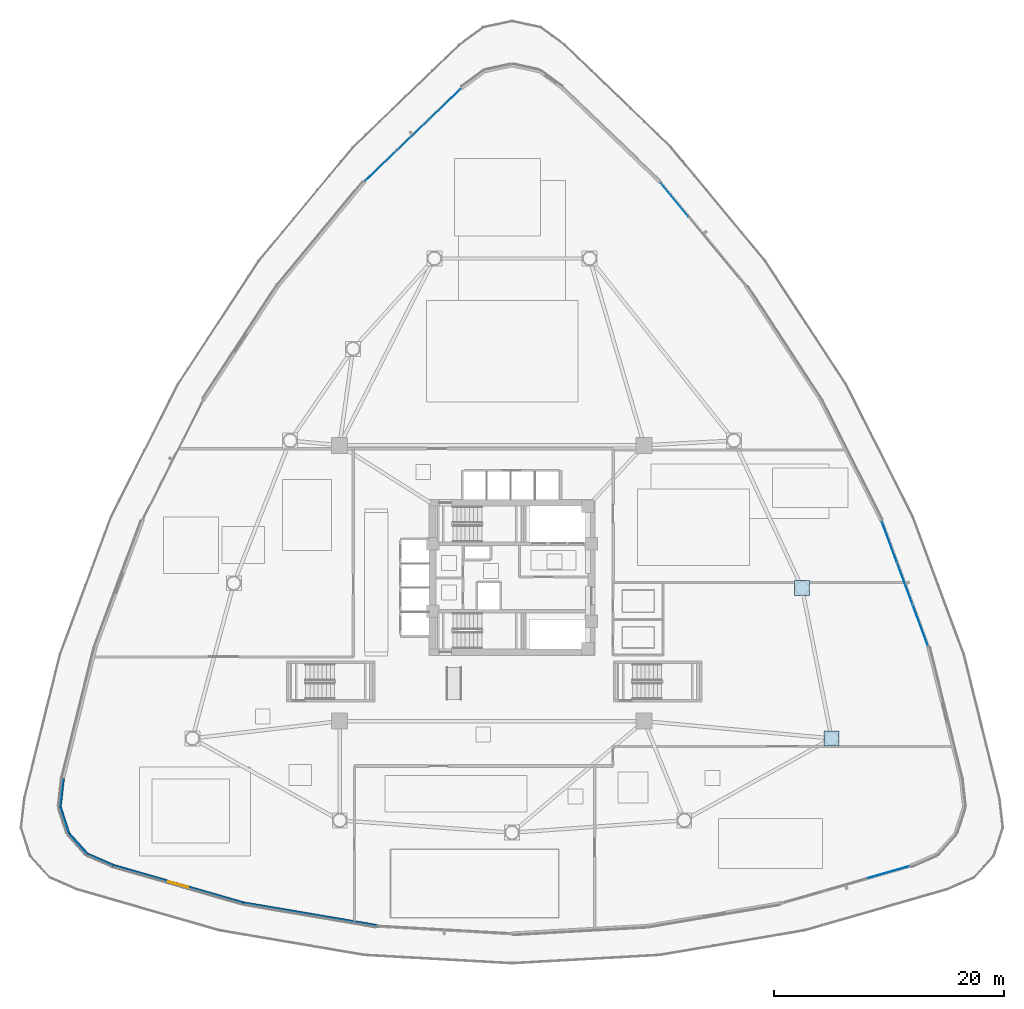
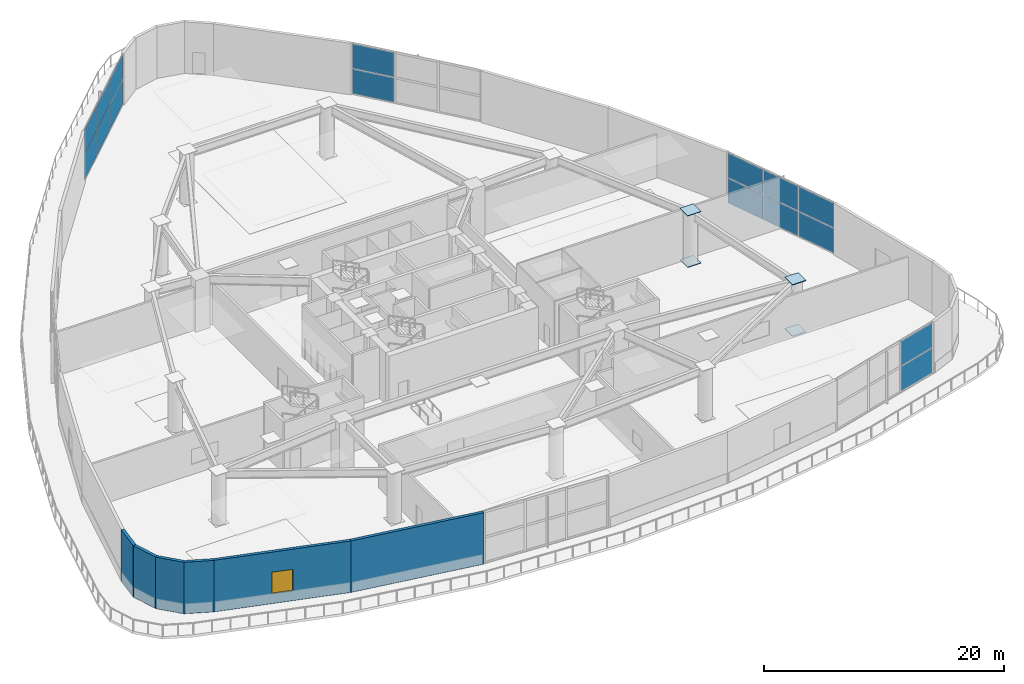
# One storey, part 12 of 26: 20 plates, 6 walls, 1 window, 1 opening, 4 elements without a shape of their own.
"""IFC4 building model written with IfcOpenShell, lengths in metres."""

from ifc_helpers import new_model, si_unit, direction, frame, frame_2d, origin, origin_2d, place, context, subcontext, project, spatial, rectangle, extrude, source, transform, mapped, material, layer, layer_set, type_object, type_shapes, element, fill, aggregate, save


model = new_model("IFC4")

# Units and contexts
model_context = context("Model", 3, precision=1e-05, world=origin(), true_north=direction((0.0, 1.0)))
body_context = subcontext(model_context, "Body", "Model", "MODEL_VIEW")
ifc_project = project(units=[si_unit("LENGTHUNIT", "METRE"), si_unit("AREAUNIT", "SQUARE_METRE"), si_unit("VOLUMEUNIT", "CUBIC_METRE"), si_unit("PLANEANGLEUNIT", "RADIAN"), si_unit("MASSUNIT", "GRAM", prefix="KILO")], contexts=[model_context])

# Site, building, storey
site_placement = place(None, origin())
site = spatial("IfcSite", under=ifc_project, at=site_placement, CompositionType="ELEMENT")
building_placement = place(site_placement, origin())
building = spatial("IfcBuilding", under=site, at=building_placement, Name="Tavelor Broadcast Tower", CompositionType="ELEMENT")
storey_placement = place(building_placement, frame((0.0, 0.0, 5.800048828125)))
storey = spatial("IfcBuildingStorey", under=building, at=storey_placement, Name="L01", CompositionType="ELEMENT", Elevation=5.800048828125)

# Plates
ifc_material_1 = material(Name="Steel S460", Category="steel")
ifc_layer_1 = layer(ifc_material_1, 0.050048828125)
ifc_layer_set_1 = layer_set([ifc_layer_1], Name="Steel S460")
plate_type_1 = type_object("IfcPlateType", Name="Tube Hollow-End Cap Plate KN05 700x700x50", PredefinedType="USERDEFINED", material=ifc_layer_set_1)
shared_shape_1 = source(origin(), body_context, "Body", "SweptSolid", [
    extrude(rectangle(XDim=1.299072265625, YDim=1.299072265625, at=origin_2d()), origin(), (0.0, 0.0, 1.0), 0.054931640625),
])
type_shapes(plate_type_1, [shared_shape_1])
for number, where, z_axis, x_axis, name in (
    (1, (77.800048828125, 31.0, -0.02734375), (0.0, 0.0, 1.0), (1.0, 0.0, 0.0), "L01 Hollow End Cap Plate KN05 #109"),
    (2, (77.800048828125, 31.0, 5.22265625), (0.0, 0.0, 1.0), (1.0, 0.0, 0.0), "L01 Hollow End Cap Plate KN05 #110"),
    (3, (75.2412109375, 44.070068359375, -0.02734375), (0.0, 0.0, 1.0), (1.0, 0.0, 0.0), "L01 Hollow End Cap Plate KN05 #111"),
    (4, (75.2412109375, 44.070068359375, 5.22265625), (0.0, 0.0, 1.0), (1.0, 0.0, 0.0), "L01 Hollow End Cap Plate KN05 #112"),
):
    element("IfcPlate", number, at=place(storey_placement, frame(where, z_axis=z_axis, x_axis=x_axis)), inside=storey, type_object=plate_type_1, Name=name, ObjectType="CAP PLATE", PredefinedType="USERDEFINED", context=body_context, shape_type="MappedRepresentation", body=[
        mapped(shared_shape_1, transform((0.0, 0.0, 0.0), scale=1.0)),
    ])

# Curtain wall, plates
ifc_material_2 = material(Name="Architectural Anodized Aluminium", Category="aluminium")
ifc_layer_2 = layer(ifc_material_2, 0.219970703125)
ifc_layer_set_2 = layer_set([ifc_layer_2], Name="Architectural Anodized Aluminium")
curtain_wall_type = type_object("IfcCurtainWallType", Name="Podium Double-Height Broadcast Curtain Wall CW01", PredefinedType="NOTDEFINED", material=ifc_layer_set_2)
curtain_wall_1_placement = place(storey_placement, origin())
curtain_wall_1 = element("IfcCurtainWall", 5, at=curtain_wall_1_placement, inside=storey, type_object=curtain_wall_type, Name="L01 Curtain Wall CW01 Run 1", PredefinedType="NOTDEFINED")
ifc_material_3 = material(Name="Solar Low-E Laminated Glazing 32 mm", Category="glass")
ifc_layer_3 = layer(ifc_material_3, 0.031982421875)
ifc_layer_set_3 = layer_set([ifc_layer_3], Name="Solar Low-E Laminated Glazing 32 mm")
plate_type_2 = type_object("IfcPlateType", Name="CW01 Insulated Vision Glazing Panel 32 mm", PredefinedType="CURTAIN_PANEL", material=ifc_layer_set_3)
shared_shape_2 = source(origin(), body_context, "Body", "SweptSolid", [
    extrude(rectangle(XDim=3.759765625, YDim=0.031982421875, at=origin_2d()), origin(), (0.0, 0.0, 1.0), 2.512451171875),
])
plate_1_placement = place(storey_placement, frame((44.16162109375, 86.166015625, 0.0751953125), z_axis=(0.0, 0.0, 1.0), x_axis=(-0.720306832221, -0.693655582732, 0.0)))
plate_1 = element("IfcPlate", 6, at=plate_1_placement, type_object=plate_type_2, Name="CW01 panel 1.1", PredefinedType="CURTAIN_PANEL", context=body_context, shape_type="MappedRepresentation", body=[
    mapped(shared_shape_2, transform((0.0, 0.0, 0.0), scale=1.0)),
])
plate_2_placement = place(storey_placement, frame((44.16162109375, 86.166015625, 2.66259765625), z_axis=(0.0, 0.0, 1.0), x_axis=(-0.720306832221, -0.693655582732, 0.0)))
plate_2 = element("IfcPlate", 7, at=plate_2_placement, type_object=plate_type_2, Name="CW01 panel 1.2", PredefinedType="CURTAIN_PANEL", context=body_context, shape_type="MappedRepresentation", body=[
    mapped(shared_shape_2, transform((0.0, 0.0, 0.0), scale=1.0)),
])
plate_3_placement = place(storey_placement, frame((38.610107421875, 80.820068359375, 0.0751953125), z_axis=(0.0, 0.0, 1.0), x_axis=(-0.720306832221, -0.693655582732, 0.0)))
plate_3 = element("IfcPlate", 8, at=plate_3_placement, type_object=plate_type_2, Name="CW01 panel 3.1", PredefinedType="CURTAIN_PANEL", context=body_context, shape_type="MappedRepresentation", body=[
    mapped(shared_shape_2, transform((0.0, 0.0, 0.0), scale=1.0)),
])
plate_4_placement = place(storey_placement, frame((38.610107421875, 80.820068359375, 2.66259765625), z_axis=(0.0, 0.0, 1.0), x_axis=(-0.720306832221, -0.693655582732, 0.0)))
plate_4 = element("IfcPlate", 9, at=plate_4_placement, type_object=plate_type_2, Name="CW01 panel 3.2", PredefinedType="CURTAIN_PANEL", context=body_context, shape_type="MappedRepresentation", body=[
    mapped(shared_shape_2, transform((0.0, 0.0, 0.0), scale=1.0)),
])

curtain_wall_2_placement = place(storey_placement, origin())
curtain_wall_2 = element("IfcCurtainWall", 10, at=curtain_wall_2_placement, inside=storey, type_object=curtain_wall_type, Name="L01 Curtain Wall CW01 Run 4", PredefinedType="NOTDEFINED")
plate_5_placement = place(storey_placement, frame((82.731689453125, 19.36083984375, 0.0751953125), z_axis=(0.0, 0.0, 1.0), x_axis=(0.960875506247, 0.276980615737, 0.0)))
plate_5 = element("IfcPlate", 11, at=plate_5_placement, type_object=plate_type_2, Name="CW01 panel 3.1", PredefinedType="CURTAIN_PANEL", context=body_context, shape_type="MappedRepresentation", body=[
    mapped(shared_shape_2, transform((0.0, 0.0, 0.0), scale=1.0)),
])
plate_6_placement = place(storey_placement, frame((82.731689453125, 19.36083984375, 2.66259765625), z_axis=(0.0, 0.0, 1.0), x_axis=(0.960875506247, 0.276980615737, 0.0)))
plate_6 = element("IfcPlate", 12, at=plate_6_placement, type_object=plate_type_2, Name="CW01 panel 3.2", PredefinedType="CURTAIN_PANEL", context=body_context, shape_type="MappedRepresentation", body=[
    mapped(shared_shape_2, transform((0.0, 0.0, 0.0), scale=1.0)),
])
aggregate(curtain_wall_2, [plate_5, plate_6])

# Plate
shared_shape_3 = source(origin(), body_context, "Body", "SweptSolid", [
    extrude(rectangle(XDim=3.797119140625, YDim=0.031982421875, at=origin_2d()), origin(), (0.0, 0.0, 1.0), 2.512451171875),
])
plate_7_placement = place(storey_placement, frame((41.385986328125, 83.4931640625, 0.0751953125), z_axis=(0.0, 0.0, 1.0), x_axis=(-0.720306832221, -0.693655582732, 0.0)))
plate_7 = element("IfcPlate", 13, at=plate_7_placement, type_object=plate_type_2, Name="CW01 panel 2.1", PredefinedType="CURTAIN_PANEL", context=body_context, shape_type="MappedRepresentation", body=[
    mapped(shared_shape_3, transform((0.0, 0.0, 0.0), scale=1.0)),
])

plate_8_placement = place(storey_placement, frame((41.385986328125, 83.4931640625, 2.66259765625), z_axis=(0.0, 0.0, 1.0), x_axis=(-0.720306832221, -0.693655582732, 0.0)))
plate_8 = element("IfcPlate", 14, at=plate_8_placement, type_object=plate_type_2, Name="CW01 panel 2.2", PredefinedType="CURTAIN_PANEL", context=body_context, shape_type="MappedRepresentation", body=[
    mapped(shared_shape_3, transform((0.0, 0.0, 0.0), scale=1.0)),
])

aggregate(curtain_wall_1, [plate_1, plate_2, plate_7, plate_8, plate_3, plate_4])

# Curtain wall, plates
curtain_wall_3_placement = place(storey_placement, origin())
curtain_wall_3 = element("IfcCurtainWall", 15, at=curtain_wall_3_placement, inside=storey, type_object=curtain_wall_type, Name="L01 Curtain Wall CW01 Run 5", PredefinedType="NOTDEFINED")
shared_shape_4 = source(origin(), body_context, "Body", "SweptSolid", [
    extrude(rectangle(XDim=3.76025390625, YDim=0.031982421875, at=origin_2d()), origin(), (0.0, 0.0, 1.0), 2.512451171875),
])
plate_9_placement = place(storey_placement, frame((85.518798828125, 40.8369140625, 0.0751953125), z_axis=(0.0, 0.0, 1.0), x_axis=(-0.347785833144, 0.937574004687, 0.0)))
plate_9 = element("IfcPlate", 16, at=plate_9_placement, type_object=plate_type_2, Name="CW01 panel 1.1", PredefinedType="CURTAIN_PANEL", context=body_context, shape_type="MappedRepresentation", body=[
    mapped(shared_shape_4, transform((0.0, 0.0, 0.0), scale=1.0)),
])
plate_10_placement = place(storey_placement, frame((85.518798828125, 40.8369140625, 2.66259765625), z_axis=(0.0, 0.0, 1.0), x_axis=(-0.347785833144, 0.937574004687, 0.0)))
plate_10 = element("IfcPlate", 17, at=plate_10_placement, type_object=plate_type_2, Name="CW01 panel 1.2", PredefinedType="CURTAIN_PANEL", context=body_context, shape_type="MappedRepresentation", body=[
    mapped(shared_shape_4, transform((0.0, 0.0, 0.0), scale=1.0)),
])
plate_11_placement = place(storey_placement, frame((82.838134765625, 48.063720703125, 0.0751953125), z_axis=(0.0, 0.0, 1.0), x_axis=(-0.347785833144, 0.937574004687, 0.0)))
plate_11 = element("IfcPlate", 18, at=plate_11_placement, type_object=plate_type_2, Name="CW01 panel 3.1", PredefinedType="CURTAIN_PANEL", context=body_context, shape_type="MappedRepresentation", body=[
    mapped(shared_shape_4, transform((0.0, 0.0, 0.0), scale=1.0)),
])
plate_12_placement = place(storey_placement, frame((82.838134765625, 48.063720703125, 2.66259765625), z_axis=(0.0, 0.0, 1.0), x_axis=(-0.347785833144, 0.937574004687, 0.0)))
plate_12 = element("IfcPlate", 19, at=plate_12_placement, type_object=plate_type_2, Name="CW01 panel 3.2", PredefinedType="CURTAIN_PANEL", context=body_context, shape_type="MappedRepresentation", body=[
    mapped(shared_shape_4, transform((0.0, 0.0, 0.0), scale=1.0)),
])

curtain_wall_4_placement = place(storey_placement, origin())
curtain_wall_4 = element("IfcCurtainWall", 20, at=curtain_wall_4_placement, inside=storey, type_object=curtain_wall_type, Name="L01 Curtain Wall CW01 Run 6", PredefinedType="NOTDEFINED")
plate_13_placement = place(storey_placement, frame((64.154052734375, 77.841552734375, 0.0751953125), z_axis=(0.0, 0.0, 1.0), x_axis=(-0.638070503, 0.769977943321, 0.0)))
plate_13 = element("IfcPlate", 21, at=plate_13_placement, type_object=plate_type_2, Name="CW01 panel 3.1", PredefinedType="CURTAIN_PANEL", context=body_context, shape_type="MappedRepresentation", body=[
    mapped(shared_shape_4, transform((0.0, 0.0, 0.0), scale=1.0)),
])
plate_14_placement = place(storey_placement, frame((64.154052734375, 77.841552734375, 2.66259765625), z_axis=(0.0, 0.0, 1.0), x_axis=(-0.638070503, 0.769977943321, 0.0)))
plate_14 = element("IfcPlate", 22, at=plate_14_placement, type_object=plate_type_2, Name="CW01 panel 3.2", PredefinedType="CURTAIN_PANEL", context=body_context, shape_type="MappedRepresentation", body=[
    mapped(shared_shape_4, transform((0.0, 0.0, 0.0), scale=1.0)),
])
aggregate(curtain_wall_4, [plate_13, plate_14])

# Plate
shared_shape_5 = source(origin(), body_context, "Body", "SweptSolid", [
    extrude(rectangle(XDim=3.797607421875, YDim=0.031982421875, at=origin_2d()), origin(), (0.0, 0.0, 1.0), 2.512451171875),
])
type_shapes(plate_type_2, [shared_shape_2, shared_shape_3, shared_shape_4, shared_shape_5])
plate_15_placement = place(storey_placement, frame((84.178466796875, 44.4501953125, 0.0751953125), z_axis=(0.0, 0.0, 1.0), x_axis=(-0.347785833144, 0.937574004687, 0.0)))
plate_15 = element("IfcPlate", 23, at=plate_15_placement, type_object=plate_type_2, Name="CW01 panel 2.1", PredefinedType="CURTAIN_PANEL", context=body_context, shape_type="MappedRepresentation", body=[
    mapped(shared_shape_5, transform((0.0, 0.0, 0.0), scale=1.0)),
])

plate_16_placement = place(storey_placement, frame((84.178466796875, 44.4501953125, 2.66259765625), z_axis=(0.0, 0.0, 1.0), x_axis=(-0.347785833144, 0.937574004687, 0.0)))
plate_16 = element("IfcPlate", 24, at=plate_16_placement, type_object=plate_type_2, Name="CW01 panel 2.2", PredefinedType="CURTAIN_PANEL", context=body_context, shape_type="MappedRepresentation", body=[
    mapped(shared_shape_5, transform((0.0, 0.0, 0.0), scale=1.0)),
])

aggregate(curtain_wall_3, [plate_9, plate_10, plate_15, plate_16, plate_11, plate_12])

# Walls
ifc_material_4 = material(Name="Precast Concrete C40/50", Category="concrete")
ifc_layer_4 = layer(ifc_material_4, 0.280029296875)
ifc_layer_set_4 = layer_set([ifc_layer_4], Name="Precast Concrete C40/50")
wall_type = type_object("IfcWallType", Name="Insulated Precast Terracotta Facade Wall 280 mm", PredefinedType="STANDARD", material=ifc_layer_set_4)
wall_1_placement = place(storey_placement, frame((10.942138671875, 27.512939453125, 0.0), z_axis=(0.0, 0.0, 1.0), x_axis=(-0.112407002511, -0.993662249352, 0.0)))
element("IfcWall", 25, at=wall_1_placement, inside=storey, type_object=wall_type, Name="L01 Precast Terracotta Facade Wall 11", PredefinedType="STANDARD", context=body_context, shape_type="SweptSolid", body=[
    extrude(rectangle(XDim=2.49560546875, YDim=0.280029296875, at=frame_2d((1.247802734375, 0.0))), origin(), (0.0, 0.0, 1.0), 5.25),
])
for number, where, z_axis, x_axis, name in (
    (26, (10.65869140625, 25.0625, 0.0), (0.0, 0.0, 1.0), (0.306561670024, -0.95185079843, 0.0), "L01 Precast Terracotta Facade Wall 12"),
    (27, (11.402587890625, 22.732666015625, 0.0), (0.0, 0.0, 1.0), (0.671055411371, -0.741407199095, 0.0), "L01 Precast Terracotta Facade Wall 13"),
):
    element("IfcWall", number, at=place(storey_placement, frame(where, z_axis=z_axis, x_axis=x_axis)), inside=storey, type_object=wall_type, Name=name, PredefinedType="STANDARD", context=body_context, shape_type="SweptSolid", body=[
        extrude(rectangle(XDim=2.474365234375, YDim=0.280029296875, at=frame_2d((1.2373046875, 0.0))), origin(), (0.0, 0.0, 1.0), 5.25),
    ])
wall_2_placement = place(storey_placement, frame((13.039306640625, 20.915283203125, 0.0), z_axis=(0.0, 0.0, 1.0), x_axis=(0.916744660821, -0.399473687314, 0.0)))
element("IfcWall", 28, at=wall_2_placement, inside=storey, type_object=wall_type, Name="L01 Precast Terracotta Facade Wall 14", PredefinedType="STANDARD", context=body_context, shape_type="SweptSolid", body=[
    extrude(rectangle(XDim=2.495361328125, YDim=0.280029296875, at=frame_2d((1.24755859375, 0.0))), origin(), (0.0, 0.0, 1.0), 5.25),
])

# Wall, opening, window
wall_3_placement = place(storey_placement, frame((15.298583984375, 19.928466796875, 0.0), z_axis=(0.0, 0.0, 1.0), x_axis=(0.960874405685, -0.276984433678, 0.0)))
wall_3 = element("IfcWall", 29, at=wall_3_placement, inside=storey, type_object=wall_type, Name="L01 Precast Terracotta Facade Wall 15", PredefinedType="STANDARD", context=body_context, shape_type="SweptSolid", body=[
    extrude(rectangle(XDim=11.806640625, YDim=0.280029296875, at=frame_2d((5.9033203125, 0.0))), origin(), (0.0, 0.0, 1.0), 5.25),
])
opening_placement = place(wall_3_placement, frame((5.00341796875, 0.0, 1.0)))
opening = element("IfcOpeningElement", 30, at=opening_placement, cuts=wall_3, Name="Opening WN11", PredefinedType="OPENING", context=body_context, shape_type="SweptSolid", body=[
    extrude(rectangle(XDim=1.800048828125, YDim=2.199951171875, at=frame_2d((0.89990234375, 1.10009765625))), frame((0.0, 0.14990234375, 0.0), z_axis=(0.0, -1.0, 0.0), x_axis=(1.0, 0.0, 0.0)), (0.0, 0.0, 1.0), 0.300048828125),
])
ifc_material_5 = material(Name="Acoustic Double Glazing 28 mm", Category="glass")
window_type = type_object("IfcWindowType", Name="Podium Studio Acoustic Punched Window 1800x2200", PartitioningType="SINGLE_PANEL", PredefinedType="WINDOW", material=ifc_material_5)
window_placement = place(opening_placement, origin())
window = element("IfcWindow", 31, at=window_placement, inside=storey, type_object=window_type, Name="L01 Broadcast Facade Window 15", OverallHeight=2.199951171875, OverallWidth=1.800048828125, PartitioningType="SINGLE_PANEL", PredefinedType="WINDOW", context=body_context, shape_type="SweptSolid", body=[
    extrude(rectangle(XDim=1.800048828125, YDim=2.199951171875, at=frame_2d((0.89990234375, 1.10009765625))), frame((0.0, 0.030029296875, 0.0), z_axis=(0.0, -1.0, 0.0), x_axis=(1.0, 0.0, 0.0)), (0.0, 0.0, 1.0), 0.06005859375),
])
fill(opening, window)

# Wall
wall_4_placement = place(storey_placement, frame((26.6142578125, 16.664794921875, 0.0), z_axis=(0.0, 0.0, 1.0), x_axis=(0.985857206306, -0.16758749588, 0.0)))
element("IfcWall", 32, at=wall_4_placement, inside=storey, type_object=wall_type, Name="L01 Precast Terracotta Facade Wall 16", PredefinedType="STANDARD", context=body_context, shape_type="SweptSolid", body=[
    extrude(rectangle(XDim=11.866943359375, YDim=0.280029296875, at=frame_2d((5.93359375, 0.0))), origin(), (0.0, 0.0, 1.0), 5.25),
])

save(model, "model.ifc")
